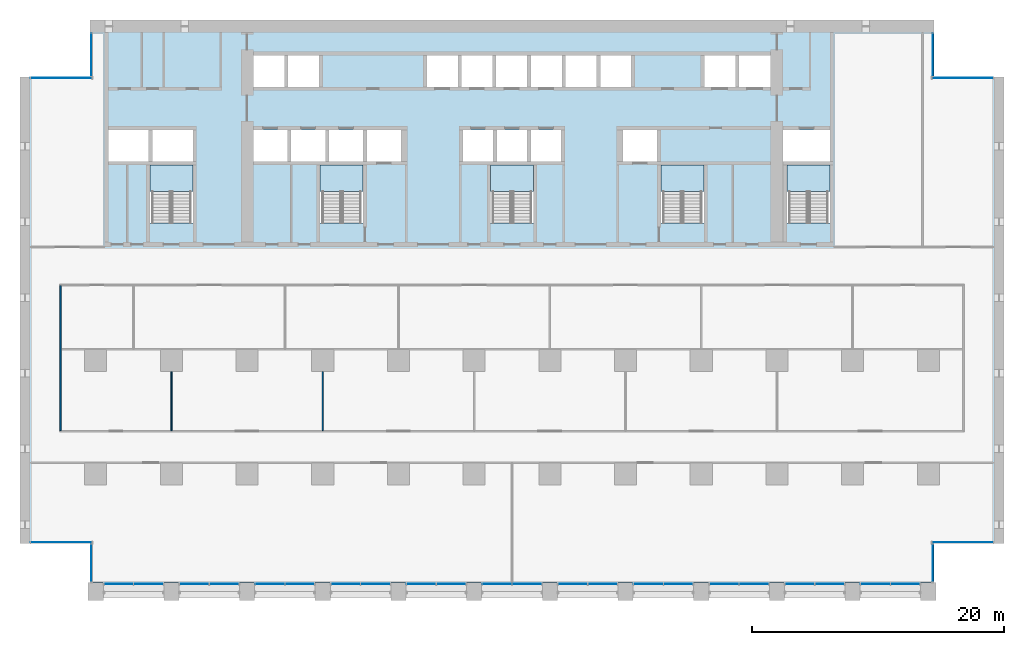
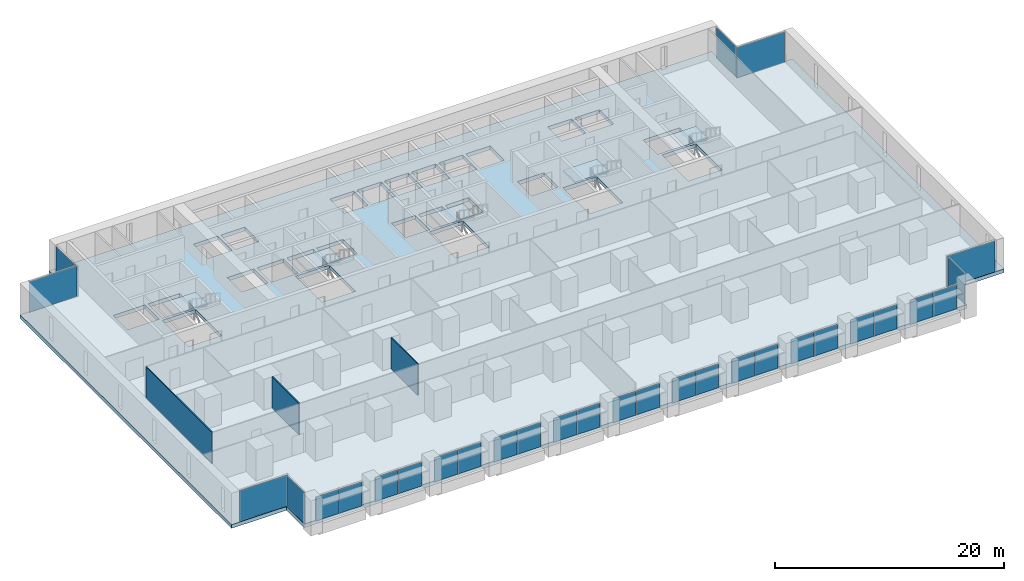
# One storey, part 7 of 18: 30 plates, 6 slabs, 3 walls, 24 elements without a shape of their own.
"""IFC4 building model written with IfcOpenShell, lengths in metres."""

from ifc_helpers import new_model, si_unit, direction, frame, frame_2d, origin, origin_2d, place, context, subcontext, project, spatial, polyline, rectangle, outline, extrude, material, layer, layer_set, type_object, element, aggregate, save


model = new_model("IFC4")

# Units and contexts
model_context = context("Model", 3, precision=1e-05, world=origin(), true_north=direction((0.0, 1.0)))
body_context = subcontext(model_context, "Body", "Model", "MODEL_VIEW")
ifc_project = project(units=[si_unit("LENGTHUNIT", "METRE"), si_unit("AREAUNIT", "SQUARE_METRE"), si_unit("VOLUMEUNIT", "CUBIC_METRE"), si_unit("PLANEANGLEUNIT", "RADIAN"), si_unit("MASSUNIT", "GRAM", prefix="KILO")], contexts=[model_context])

# Site, building, storey
site_placement = place(None, origin())
site = spatial("IfcSite", under=ifc_project, at=site_placement, CompositionType="ELEMENT")
building_placement = place(site_placement, origin())
building = spatial("IfcBuilding", under=site, at=building_placement, Name="Calvaro Tower", CompositionType="ELEMENT")
storey_placement = place(building_placement, frame((0.0, 0.0, 41.25)))
storey = spatial("IfcBuildingStorey", under=building, at=storey_placement, Name="L09", CompositionType="ELEMENT", Elevation=41.25)

# Slab
ifc_material_1 = material(Name="Concrete C40/50", Category="concrete")
ifc_layer_1 = layer(ifc_material_1, 0.39990234375)
ifc_layer_set_1 = layer_set([ifc_layer_1], Name="Concrete C40/50")
slab_type_1 = type_object("IfcSlabType", Name="Floor slab 400 C40/50", PredefinedType="FLOOR", material=ifc_layer_set_1)
slab_1_placement = place(storey_placement, frame((0.0, 0.0, -0.39990234375)))
element("IfcSlab", 1, at=slab_1_placement, inside=storey, type_object=slab_type_1, Name="Floor slab", PredefinedType="FLOOR", context=body_context, shape_type="SweptSolid", body=[
    extrude(outline(polyline([(72.449951171875, 4.5), (72.449951171875, 1.39990234375), (5.550048828125, 1.39990234375), (5.550048828125, 4.5), (0.0, 4.5), (0.0, 41.5), (5.550048828125, 41.5), (5.550048828125, 46.0), (72.449951171875, 46.0), (72.449951171875, 41.5), (78.0, 41.5), (78.0, 4.5), (72.449951171875, 4.5)]), holes=[polyline([(10.300048828125, 29.909912109375), (10.300048828125, 34.5), (12.0, 34.5), (13.699951171875, 34.5), (13.699951171875, 29.909912109375), (12.0, 29.909912109375), (10.300048828125, 29.909912109375)]), polyline([(23.800048828125, 29.909912109375), (23.800048828125, 34.5), (25.5, 34.5), (27.199951171875, 34.5), (27.199951171875, 29.909912109375), (25.5, 29.909912109375), (23.800048828125, 29.909912109375)]), polyline([(37.300048828125, 29.909912109375), (37.300048828125, 34.5), (39.0, 34.5), (40.699951171875, 34.5), (40.699951171875, 29.909912109375), (39.0, 29.909912109375), (37.300048828125, 29.909912109375)]), polyline([(50.800048828125, 29.909912109375), (50.800048828125, 34.5), (52.5, 34.5), (54.199951171875, 34.5), (54.199951171875, 29.909912109375), (52.5, 29.909912109375), (50.800048828125, 29.909912109375)]), polyline([(60.800048828125, 29.909912109375), (60.800048828125, 34.5), (62.5, 34.5), (64.199951171875, 34.5), (64.199951171875, 29.909912109375), (62.5, 29.909912109375), (60.800048828125, 29.909912109375)]), polyline([(18.5, 34.800048828125), (21.199951171875, 34.800048828125), (21.199951171875, 37.300048828125), (18.5, 37.300048828125), (18.5, 34.800048828125)]), polyline([(21.5, 34.800048828125), (24.199951171875, 34.800048828125), (24.199951171875, 37.300048828125), (21.5, 37.300048828125), (21.5, 34.800048828125)]), polyline([(24.5, 34.800048828125), (27.199951171875, 34.800048828125), (27.199951171875, 37.300048828125), (24.5, 37.300048828125), (24.5, 34.800048828125)]), polyline([(35.10009765625, 34.800048828125), (37.5, 34.800048828125), (37.5, 37.300048828125), (35.10009765625, 37.300048828125), (35.10009765625, 34.800048828125)]), polyline([(37.800048828125, 34.800048828125), (40.199951171875, 34.800048828125), (40.199951171875, 37.300048828125), (37.800048828125, 37.300048828125), (37.800048828125, 34.800048828125)]), polyline([(40.5, 34.800048828125), (42.89990234375, 34.800048828125), (42.89990234375, 37.300048828125), (40.5, 37.300048828125), (40.5, 34.800048828125)]), polyline([(18.5, 40.699951171875), (20.949951171875, 40.699951171875), (20.949951171875, 43.199951171875), (18.5, 43.199951171875), (18.5, 40.699951171875)]), polyline([(21.25, 40.699951171875), (23.699951171875, 40.699951171875), (23.699951171875, 43.199951171875), (21.25, 43.199951171875), (21.25, 40.699951171875)]), polyline([(32.25, 40.699951171875), (34.699951171875, 40.699951171875), (34.699951171875, 43.199951171875), (32.25, 43.199951171875), (32.25, 40.699951171875)]), polyline([(35.0, 40.699951171875), (37.449951171875, 40.699951171875), (37.449951171875, 43.199951171875), (35.0, 43.199951171875), (35.0, 40.699951171875)]), polyline([(37.75, 40.699951171875), (40.199951171875, 40.699951171875), (40.199951171875, 43.199951171875), (37.75, 43.199951171875), (37.75, 40.699951171875)]), polyline([(40.5, 40.699951171875), (42.949951171875, 40.699951171875), (42.949951171875, 43.199951171875), (40.5, 43.199951171875), (40.5, 40.699951171875)]), polyline([(43.25, 40.699951171875), (45.699951171875, 40.699951171875), (45.699951171875, 43.199951171875), (43.25, 43.199951171875), (43.25, 40.699951171875)]), polyline([(46.0, 40.699951171875), (48.449951171875, 40.699951171875), (48.449951171875, 43.199951171875), (46.0, 43.199951171875), (46.0, 40.699951171875)]), polyline([(54.25, 40.699951171875), (56.699951171875, 40.699951171875), (56.699951171875, 43.199951171875), (54.25, 43.199951171875), (54.25, 40.699951171875)]), polyline([(57.0, 40.699951171875), (59.5, 40.699951171875), (59.5, 43.199951171875), (57.0, 43.199951171875), (57.0, 40.699951171875)]), polyline([(7.0, 34.800048828125), (10.199951171875, 34.800048828125), (10.199951171875, 37.300048828125), (7.0, 37.300048828125), (7.0, 34.800048828125)]), polyline([(10.5, 34.800048828125), (13.699951171875, 34.800048828125), (13.699951171875, 37.300048828125), (10.5, 37.300048828125), (10.5, 34.800048828125)]), polyline([(60.5, 34.800048828125), (64.199951171875, 34.800048828125), (64.199951171875, 37.300048828125), (60.5, 37.300048828125), (60.5, 34.800048828125)]), polyline([(27.5, 34.800048828125), (30.199951171875, 34.800048828125), (30.199951171875, 37.300048828125), (27.5, 37.300048828125), (27.5, 34.800048828125)]), polyline([(47.800048828125, 34.800048828125), (50.5, 34.800048828125), (50.5, 37.300048828125), (47.800048828125, 37.300048828125), (47.800048828125, 34.800048828125)])]), origin(), (0.0, 0.0, 1.0), 0.39990234375),
])

# Curtain wall, plates
ifc_material_2 = material(Name="Anodised aluminium", Category="aluminium")
curtain_wall_type = type_object("IfcCurtainWallType", Name="Office curtain wall, lower zone", PredefinedType="NOTDEFINED", material=ifc_material_2)
curtain_wall_1_placement = place(storey_placement, origin())
curtain_wall_1 = element("IfcCurtainWall", 2, at=curtain_wall_1_placement, inside=storey, type_object=curtain_wall_type, Name="CW1 south curtain wall", PredefinedType="NOTDEFINED")
ifc_material_3 = material(Name="Glass", Category="glass")
ifc_layer_2 = layer(ifc_material_3, 0.028076171875)
ifc_layer_set_2 = layer_set([ifc_layer_2], Name="Glass")
plate_type = type_object("IfcPlateType", Name="Glass panel S1 28", PredefinedType="CURTAIN_PANEL", material=ifc_layer_set_2)
plate_1_placement = place(storey_placement, frame((7.81494140625, 1.300048828125, 0.0), z_axis=(0.0, 0.0, 1.0), x_axis=(1.0, 0.0, 0.0)))
plate_1 = element("IfcPlate", 3, at=plate_1_placement, type_object=plate_type, Name="CW1 glass panel 1.1", PredefinedType="CURTAIN_PANEL", context=body_context, shape_type="SweptSolid", body=[
    extrude(rectangle(XDim=2.31005859375, YDim=0.028076171875, at=origin_2d()), origin(), (0.0, 0.0, 1.0), 2.550048828125),
])
plate_2_placement = place(storey_placement, frame((10.18505859375, 1.300048828125, 0.0), z_axis=(0.0, 0.0, 1.0), x_axis=(1.0, 0.0, 0.0)))
plate_2 = element("IfcPlate", 4, at=plate_2_placement, type_object=plate_type, Name="CW1 glass panel 2.1", PredefinedType="CURTAIN_PANEL", context=body_context, shape_type="SweptSolid", body=[
    extrude(rectangle(XDim=2.31005859375, YDim=0.028076171875, at=origin_2d()), origin(), (0.0, 0.0, 1.0), 2.550048828125),
])
aggregate(curtain_wall_1, [plate_1, plate_2])

curtain_wall_2_placement = place(storey_placement, origin())
curtain_wall_2 = element("IfcCurtainWall", 5, at=curtain_wall_2_placement, inside=storey, type_object=curtain_wall_type, Name="CW1 south curtain wall", PredefinedType="NOTDEFINED")
plate_3_placement = place(storey_placement, frame((13.81494140625, 1.300048828125, 0.0), z_axis=(0.0, 0.0, 1.0), x_axis=(1.0, 0.0, 0.0)))
plate_3 = element("IfcPlate", 6, at=plate_3_placement, type_object=plate_type, Name="CW1 glass panel 1.1", PredefinedType="CURTAIN_PANEL", context=body_context, shape_type="SweptSolid", body=[
    extrude(rectangle(XDim=2.31005859375, YDim=0.028076171875, at=origin_2d()), origin(), (0.0, 0.0, 1.0), 2.550048828125),
])
plate_4_placement = place(storey_placement, frame((16.18505859375, 1.300048828125, 0.0), z_axis=(0.0, 0.0, 1.0), x_axis=(1.0, 0.0, 0.0)))
plate_4 = element("IfcPlate", 7, at=plate_4_placement, type_object=plate_type, Name="CW1 glass panel 2.1", PredefinedType="CURTAIN_PANEL", context=body_context, shape_type="SweptSolid", body=[
    extrude(rectangle(XDim=2.31005859375, YDim=0.028076171875, at=origin_2d()), origin(), (0.0, 0.0, 1.0), 2.550048828125),
])
aggregate(curtain_wall_2, [plate_3, plate_4])

curtain_wall_3_placement = place(storey_placement, origin())
curtain_wall_3 = element("IfcCurtainWall", 8, at=curtain_wall_3_placement, inside=storey, type_object=curtain_wall_type, Name="CW1 south curtain wall", PredefinedType="NOTDEFINED")
plate_5_placement = place(storey_placement, frame((19.81494140625, 1.300048828125, 0.0), z_axis=(0.0, 0.0, 1.0), x_axis=(1.0, 0.0, 0.0)))
plate_5 = element("IfcPlate", 9, at=plate_5_placement, type_object=plate_type, Name="CW1 glass panel 1.1", PredefinedType="CURTAIN_PANEL", context=body_context, shape_type="SweptSolid", body=[
    extrude(rectangle(XDim=2.31005859375, YDim=0.028076171875, at=origin_2d()), origin(), (0.0, 0.0, 1.0), 2.550048828125),
])
plate_6_placement = place(storey_placement, frame((22.18505859375, 1.300048828125, 0.0), z_axis=(0.0, 0.0, 1.0), x_axis=(1.0, 0.0, 0.0)))
plate_6 = element("IfcPlate", 10, at=plate_6_placement, type_object=plate_type, Name="CW1 glass panel 2.1", PredefinedType="CURTAIN_PANEL", context=body_context, shape_type="SweptSolid", body=[
    extrude(rectangle(XDim=2.31005859375, YDim=0.028076171875, at=origin_2d()), origin(), (0.0, 0.0, 1.0), 2.550048828125),
])
aggregate(curtain_wall_3, [plate_5, plate_6])

curtain_wall_4_placement = place(storey_placement, origin())
curtain_wall_4 = element("IfcCurtainWall", 11, at=curtain_wall_4_placement, inside=storey, type_object=curtain_wall_type, Name="CW1 south curtain wall", PredefinedType="NOTDEFINED")
plate_7_placement = place(storey_placement, frame((25.81494140625, 1.300048828125, 0.0), z_axis=(0.0, 0.0, 1.0), x_axis=(1.0, 0.0, 0.0)))
plate_7 = element("IfcPlate", 12, at=plate_7_placement, type_object=plate_type, Name="CW1 glass panel 1.1", PredefinedType="CURTAIN_PANEL", context=body_context, shape_type="SweptSolid", body=[
    extrude(rectangle(XDim=2.31005859375, YDim=0.028076171875, at=origin_2d()), origin(), (0.0, 0.0, 1.0), 2.550048828125),
])
plate_8_placement = place(storey_placement, frame((28.18505859375, 1.300048828125, 0.0), z_axis=(0.0, 0.0, 1.0), x_axis=(1.0, 0.0, 0.0)))
plate_8 = element("IfcPlate", 13, at=plate_8_placement, type_object=plate_type, Name="CW1 glass panel 2.1", PredefinedType="CURTAIN_PANEL", context=body_context, shape_type="SweptSolid", body=[
    extrude(rectangle(XDim=2.31005859375, YDim=0.028076171875, at=origin_2d()), origin(), (0.0, 0.0, 1.0), 2.550048828125),
])
aggregate(curtain_wall_4, [plate_7, plate_8])

curtain_wall_5_placement = place(storey_placement, origin())
curtain_wall_5 = element("IfcCurtainWall", 14, at=curtain_wall_5_placement, inside=storey, type_object=curtain_wall_type, Name="CW1 south curtain wall", PredefinedType="NOTDEFINED")
plate_9_placement = place(storey_placement, frame((31.81494140625, 1.300048828125, 0.0), z_axis=(0.0, 0.0, 1.0), x_axis=(1.0, 0.0, 0.0)))
plate_9 = element("IfcPlate", 15, at=plate_9_placement, type_object=plate_type, Name="CW1 glass panel 1.1", PredefinedType="CURTAIN_PANEL", context=body_context, shape_type="SweptSolid", body=[
    extrude(rectangle(XDim=2.31005859375, YDim=0.028076171875, at=origin_2d()), origin(), (0.0, 0.0, 1.0), 2.550048828125),
])
plate_10_placement = place(storey_placement, frame((34.18505859375, 1.300048828125, 0.0), z_axis=(0.0, 0.0, 1.0), x_axis=(1.0, 0.0, 0.0)))
plate_10 = element("IfcPlate", 16, at=plate_10_placement, type_object=plate_type, Name="CW1 glass panel 2.1", PredefinedType="CURTAIN_PANEL", context=body_context, shape_type="SweptSolid", body=[
    extrude(rectangle(XDim=2.31005859375, YDim=0.028076171875, at=origin_2d()), origin(), (0.0, 0.0, 1.0), 2.550048828125),
])
aggregate(curtain_wall_5, [plate_9, plate_10])

curtain_wall_6_placement = place(storey_placement, origin())
curtain_wall_6 = element("IfcCurtainWall", 17, at=curtain_wall_6_placement, inside=storey, type_object=curtain_wall_type, Name="CW1 south curtain wall", PredefinedType="NOTDEFINED")
plate_11_placement = place(storey_placement, frame((37.81494140625, 1.300048828125, 0.0), z_axis=(0.0, 0.0, 1.0), x_axis=(1.0, 0.0, 0.0)))
plate_11 = element("IfcPlate", 18, at=plate_11_placement, type_object=plate_type, Name="CW1 glass panel 1.1", PredefinedType="CURTAIN_PANEL", context=body_context, shape_type="SweptSolid", body=[
    extrude(rectangle(XDim=2.31005859375, YDim=0.028076171875, at=origin_2d()), origin(), (0.0, 0.0, 1.0), 2.550048828125),
])
plate_12_placement = place(storey_placement, frame((40.18505859375, 1.300048828125, 0.0), z_axis=(0.0, 0.0, 1.0), x_axis=(1.0, 0.0, 0.0)))
plate_12 = element("IfcPlate", 19, at=plate_12_placement, type_object=plate_type, Name="CW1 glass panel 2.1", PredefinedType="CURTAIN_PANEL", context=body_context, shape_type="SweptSolid", body=[
    extrude(rectangle(XDim=2.31005859375, YDim=0.028076171875, at=origin_2d()), origin(), (0.0, 0.0, 1.0), 2.550048828125),
])
aggregate(curtain_wall_6, [plate_11, plate_12])

curtain_wall_7_placement = place(storey_placement, origin())
curtain_wall_7 = element("IfcCurtainWall", 20, at=curtain_wall_7_placement, inside=storey, type_object=curtain_wall_type, Name="CW1 south curtain wall", PredefinedType="NOTDEFINED")
plate_13_placement = place(storey_placement, frame((43.81494140625, 1.300048828125, 0.0), z_axis=(0.0, 0.0, 1.0), x_axis=(1.0, 0.0, 0.0)))
plate_13 = element("IfcPlate", 21, at=plate_13_placement, type_object=plate_type, Name="CW1 glass panel 1.1", PredefinedType="CURTAIN_PANEL", context=body_context, shape_type="SweptSolid", body=[
    extrude(rectangle(XDim=2.31005859375, YDim=0.028076171875, at=origin_2d()), origin(), (0.0, 0.0, 1.0), 2.550048828125),
])
plate_14_placement = place(storey_placement, frame((46.18505859375, 1.300048828125, 0.0), z_axis=(0.0, 0.0, 1.0), x_axis=(1.0, 0.0, 0.0)))
plate_14 = element("IfcPlate", 22, at=plate_14_placement, type_object=plate_type, Name="CW1 glass panel 2.1", PredefinedType="CURTAIN_PANEL", context=body_context, shape_type="SweptSolid", body=[
    extrude(rectangle(XDim=2.31005859375, YDim=0.028076171875, at=origin_2d()), origin(), (0.0, 0.0, 1.0), 2.550048828125),
])
aggregate(curtain_wall_7, [plate_13, plate_14])

curtain_wall_8_placement = place(storey_placement, origin())
curtain_wall_8 = element("IfcCurtainWall", 23, at=curtain_wall_8_placement, inside=storey, type_object=curtain_wall_type, Name="CW1 south curtain wall", PredefinedType="NOTDEFINED")
plate_15_placement = place(storey_placement, frame((49.81494140625, 1.300048828125, 0.0), z_axis=(0.0, 0.0, 1.0), x_axis=(1.0, 0.0, 0.0)))
plate_15 = element("IfcPlate", 24, at=plate_15_placement, type_object=plate_type, Name="CW1 glass panel 1.1", PredefinedType="CURTAIN_PANEL", context=body_context, shape_type="SweptSolid", body=[
    extrude(rectangle(XDim=2.31005859375, YDim=0.028076171875, at=origin_2d()), origin(), (0.0, 0.0, 1.0), 2.550048828125),
])
plate_16_placement = place(storey_placement, frame((52.18505859375, 1.300048828125, 0.0), z_axis=(0.0, 0.0, 1.0), x_axis=(1.0, 0.0, 0.0)))
plate_16 = element("IfcPlate", 25, at=plate_16_placement, type_object=plate_type, Name="CW1 glass panel 2.1", PredefinedType="CURTAIN_PANEL", context=body_context, shape_type="SweptSolid", body=[
    extrude(rectangle(XDim=2.31005859375, YDim=0.028076171875, at=origin_2d()), origin(), (0.0, 0.0, 1.0), 2.550048828125),
])
aggregate(curtain_wall_8, [plate_15, plate_16])

curtain_wall_9_placement = place(storey_placement, origin())
curtain_wall_9 = element("IfcCurtainWall", 26, at=curtain_wall_9_placement, inside=storey, type_object=curtain_wall_type, Name="CW1 south curtain wall", PredefinedType="NOTDEFINED")
plate_17_placement = place(storey_placement, frame((55.81494140625, 1.300048828125, 0.0), z_axis=(0.0, 0.0, 1.0), x_axis=(1.0, 0.0, 0.0)))
plate_17 = element("IfcPlate", 27, at=plate_17_placement, type_object=plate_type, Name="CW1 glass panel 1.1", PredefinedType="CURTAIN_PANEL", context=body_context, shape_type="SweptSolid", body=[
    extrude(rectangle(XDim=2.31005859375, YDim=0.028076171875, at=origin_2d()), origin(), (0.0, 0.0, 1.0), 2.550048828125),
])
plate_18_placement = place(storey_placement, frame((58.18505859375, 1.300048828125, 0.0), z_axis=(0.0, 0.0, 1.0), x_axis=(1.0, 0.0, 0.0)))
plate_18 = element("IfcPlate", 28, at=plate_18_placement, type_object=plate_type, Name="CW1 glass panel 2.1", PredefinedType="CURTAIN_PANEL", context=body_context, shape_type="SweptSolid", body=[
    extrude(rectangle(XDim=2.31005859375, YDim=0.028076171875, at=origin_2d()), origin(), (0.0, 0.0, 1.0), 2.550048828125),
])
aggregate(curtain_wall_9, [plate_17, plate_18])

curtain_wall_10_placement = place(storey_placement, origin())
curtain_wall_10 = element("IfcCurtainWall", 29, at=curtain_wall_10_placement, inside=storey, type_object=curtain_wall_type, Name="CW1 south curtain wall", PredefinedType="NOTDEFINED")
plate_19_placement = place(storey_placement, frame((61.81494140625, 1.300048828125, 0.0), z_axis=(0.0, 0.0, 1.0), x_axis=(1.0, 0.0, 0.0)))
plate_19 = element("IfcPlate", 30, at=plate_19_placement, type_object=plate_type, Name="CW1 glass panel 1.1", PredefinedType="CURTAIN_PANEL", context=body_context, shape_type="SweptSolid", body=[
    extrude(rectangle(XDim=2.31005859375, YDim=0.028076171875, at=origin_2d()), origin(), (0.0, 0.0, 1.0), 2.550048828125),
])
plate_20_placement = place(storey_placement, frame((64.18505859375, 1.300048828125, 0.0), z_axis=(0.0, 0.0, 1.0), x_axis=(1.0, 0.0, 0.0)))
plate_20 = element("IfcPlate", 31, at=plate_20_placement, type_object=plate_type, Name="CW1 glass panel 2.1", PredefinedType="CURTAIN_PANEL", context=body_context, shape_type="SweptSolid", body=[
    extrude(rectangle(XDim=2.31005859375, YDim=0.028076171875, at=origin_2d()), origin(), (0.0, 0.0, 1.0), 2.550048828125),
])
aggregate(curtain_wall_10, [plate_19, plate_20])

curtain_wall_11_placement = place(storey_placement, origin())
curtain_wall_11 = element("IfcCurtainWall", 32, at=curtain_wall_11_placement, inside=storey, type_object=curtain_wall_type, Name="CW1 south curtain wall", PredefinedType="NOTDEFINED")
plate_21_placement = place(storey_placement, frame((67.81494140625, 1.300048828125, 0.0), z_axis=(0.0, 0.0, 1.0), x_axis=(1.0, 0.0, 0.0)))
plate_21 = element("IfcPlate", 33, at=plate_21_placement, type_object=plate_type, Name="CW1 glass panel 1.1", PredefinedType="CURTAIN_PANEL", context=body_context, shape_type="SweptSolid", body=[
    extrude(rectangle(XDim=2.31005859375, YDim=0.028076171875, at=origin_2d()), origin(), (0.0, 0.0, 1.0), 2.550048828125),
])
plate_22_placement = place(storey_placement, frame((70.18505859375, 1.300048828125, 0.0), z_axis=(0.0, 0.0, 1.0), x_axis=(1.0, 0.0, 0.0)))
plate_22 = element("IfcPlate", 34, at=plate_22_placement, type_object=plate_type, Name="CW1 glass panel 2.1", PredefinedType="CURTAIN_PANEL", context=body_context, shape_type="SweptSolid", body=[
    extrude(rectangle(XDim=2.31005859375, YDim=0.028076171875, at=origin_2d()), origin(), (0.0, 0.0, 1.0), 2.550048828125),
])
aggregate(curtain_wall_11, [plate_21, plate_22])

# Curtain wall, plate
curtain_wall_12_placement = place(storey_placement, origin())
curtain_wall_12 = element("IfcCurtainWall", 35, at=curtain_wall_12_placement, inside=storey, type_object=curtain_wall_type, Name="CW1 corner curtain wall", PredefinedType="NOTDEFINED")
plate_23_placement = place(storey_placement, frame((5.64990234375, 2.949951171875, 0.0), z_axis=(0.0, 0.0, 1.0), x_axis=(0.0, 1.0, 0.0)))
plate_23 = element("IfcPlate", 36, at=plate_23_placement, type_object=plate_type, Name="CW1 glass panel 1.1", PredefinedType="CURTAIN_PANEL", context=body_context, shape_type="SweptSolid", body=[
    extrude(rectangle(XDim=2.97998046875, YDim=0.028076171875, at=origin_2d()), origin(), (0.0, 0.0, 1.0), 3.25),
])
aggregate(curtain_wall_12, [plate_23])

curtain_wall_13_placement = place(storey_placement, origin())
curtain_wall_13 = element("IfcCurtainWall", 37, at=curtain_wall_13_placement, inside=storey, type_object=curtain_wall_type, Name="CW1 corner curtain wall", PredefinedType="NOTDEFINED")
plate_24_placement = place(storey_placement, frame((3.27490234375, 4.60009765625, 0.0), z_axis=(0.0, 0.0, 1.0), x_axis=(1.0, 0.0, 0.0)))
plate_24 = element("IfcPlate", 38, at=plate_24_placement, type_object=plate_type, Name="CW1 glass panel 1.1", PredefinedType="CURTAIN_PANEL", context=body_context, shape_type="SweptSolid", body=[
    extrude(rectangle(XDim=4.830078125, YDim=0.028076171875, at=origin_2d()), origin(), (0.0, 0.0, 1.0), 3.25),
])
aggregate(curtain_wall_13, [plate_24])

curtain_wall_14_placement = place(storey_placement, origin())
curtain_wall_14 = element("IfcCurtainWall", 39, at=curtain_wall_14_placement, inside=storey, type_object=curtain_wall_type, Name="CW1 corner curtain wall", PredefinedType="NOTDEFINED")
plate_25_placement = place(storey_placement, frame((5.64990234375, 43.25, 0.0), z_axis=(0.0, 0.0, 1.0), x_axis=(0.0, 1.0, 0.0)))
plate_25 = element("IfcPlate", 40, at=plate_25_placement, type_object=plate_type, Name="CW1 glass panel 1.1", PredefinedType="CURTAIN_PANEL", context=body_context, shape_type="SweptSolid", body=[
    extrude(rectangle(XDim=3.3798828125, YDim=0.028076171875, at=origin_2d()), origin(), (0.0, 0.0, 1.0), 3.25),
])
aggregate(curtain_wall_14, [plate_25])

curtain_wall_15_placement = place(storey_placement, origin())
curtain_wall_15 = element("IfcCurtainWall", 41, at=curtain_wall_15_placement, inside=storey, type_object=curtain_wall_type, Name="CW1 corner curtain wall", PredefinedType="NOTDEFINED")
plate_26_placement = place(storey_placement, frame((3.27490234375, 41.39990234375, 0.0), z_axis=(0.0, 0.0, 1.0), x_axis=(1.0, 0.0, 0.0)))
plate_26 = element("IfcPlate", 42, at=plate_26_placement, type_object=plate_type, Name="CW1 glass panel 1.1", PredefinedType="CURTAIN_PANEL", context=body_context, shape_type="SweptSolid", body=[
    extrude(rectangle(XDim=4.830078125, YDim=0.028076171875, at=origin_2d()), origin(), (0.0, 0.0, 1.0), 3.25),
])
aggregate(curtain_wall_15, [plate_26])

curtain_wall_16_placement = place(storey_placement, origin())
curtain_wall_16 = element("IfcCurtainWall", 43, at=curtain_wall_16_placement, inside=storey, type_object=curtain_wall_type, Name="CW1 corner curtain wall", PredefinedType="NOTDEFINED")
plate_27_placement = place(storey_placement, frame((72.35009765625, 2.949951171875, 0.0), z_axis=(0.0, 0.0, 1.0), x_axis=(0.0, 1.0, 0.0)))
plate_27 = element("IfcPlate", 44, at=plate_27_placement, type_object=plate_type, Name="CW1 glass panel 1.1", PredefinedType="CURTAIN_PANEL", context=body_context, shape_type="SweptSolid", body=[
    extrude(rectangle(XDim=2.97998046875, YDim=0.028076171875, at=origin_2d()), origin(), (0.0, 0.0, 1.0), 3.25),
])
aggregate(curtain_wall_16, [plate_27])

curtain_wall_17_placement = place(storey_placement, origin())
curtain_wall_17 = element("IfcCurtainWall", 45, at=curtain_wall_17_placement, inside=storey, type_object=curtain_wall_type, Name="CW1 corner curtain wall", PredefinedType="NOTDEFINED")
plate_28_placement = place(storey_placement, frame((74.72509765625, 4.60009765625, 0.0), z_axis=(0.0, 0.0, 1.0), x_axis=(1.0, 0.0, 0.0)))
plate_28 = element("IfcPlate", 46, at=plate_28_placement, type_object=plate_type, Name="CW1 glass panel 1.1", PredefinedType="CURTAIN_PANEL", context=body_context, shape_type="SweptSolid", body=[
    extrude(rectangle(XDim=4.830078125, YDim=0.028076171875, at=origin_2d()), origin(), (0.0, 0.0, 1.0), 3.25),
])
aggregate(curtain_wall_17, [plate_28])

curtain_wall_18_placement = place(storey_placement, origin())
curtain_wall_18 = element("IfcCurtainWall", 47, at=curtain_wall_18_placement, inside=storey, type_object=curtain_wall_type, Name="CW1 corner curtain wall", PredefinedType="NOTDEFINED")
plate_29_placement = place(storey_placement, frame((72.35009765625, 43.25, 0.0), z_axis=(0.0, 0.0, 1.0), x_axis=(0.0, 1.0, 0.0)))
plate_29 = element("IfcPlate", 48, at=plate_29_placement, type_object=plate_type, Name="CW1 glass panel 1.1", PredefinedType="CURTAIN_PANEL", context=body_context, shape_type="SweptSolid", body=[
    extrude(rectangle(XDim=3.3798828125, YDim=0.028076171875, at=origin_2d()), origin(), (0.0, 0.0, 1.0), 3.25),
])
aggregate(curtain_wall_18, [plate_29])

curtain_wall_19_placement = place(storey_placement, origin())
curtain_wall_19 = element("IfcCurtainWall", 49, at=curtain_wall_19_placement, inside=storey, type_object=curtain_wall_type, Name="CW1 corner curtain wall", PredefinedType="NOTDEFINED")
plate_30_placement = place(storey_placement, frame((74.72509765625, 41.39990234375, 0.0), z_axis=(0.0, 0.0, 1.0), x_axis=(1.0, 0.0, 0.0)))
plate_30 = element("IfcPlate", 50, at=plate_30_placement, type_object=plate_type, Name="CW1 glass panel 1.1", PredefinedType="CURTAIN_PANEL", context=body_context, shape_type="SweptSolid", body=[
    extrude(rectangle(XDim=4.830078125, YDim=0.028076171875, at=origin_2d()), origin(), (0.0, 0.0, 1.0), 3.25),
])
aggregate(curtain_wall_19, [plate_30])

# Stair, slab
ifc_material_4 = material(Name="Concrete C40/50", Category="concrete")
stair_type = type_object("IfcStairType", Name="Exit stair 1400 2 flights", PredefinedType="HALF_TURN_STAIR", material=ifc_material_4)
stair_1_placement = place(storey_placement, origin())
stair_1 = element("IfcStair", 51, at=stair_1_placement, inside=storey, type_object=stair_type, Name="Exit stair S1", PredefinedType="HALF_TURN_STAIR")
ifc_material_5 = material(Name="Concrete C40/50", Category="concrete")
ifc_layer_3 = layer(ifc_material_5, 0.199951171875)
ifc_layer_set_3 = layer_set([ifc_layer_3], Name="Concrete C40/50")
slab_type_2 = type_object("IfcSlabType", Name="Stair landing", PredefinedType="LANDING", material=ifc_layer_set_3)
slab_2_placement = place(storey_placement, frame((0.0, 0.0, 1.675048828125)))
slab_2 = element("IfcSlab", 52, at=slab_2_placement, type_object=slab_type_2, Name="Exit stair 1, landing 1", PredefinedType="LANDING", context=body_context, shape_type="SweptSolid", body=[
    extrude(outline(polyline([(11.89990234375, 32.389892578125), (10.5, 32.389892578125), (10.5, 32.39990234375), (10.300048828125, 32.39990234375), (10.300048828125, 34.5), (10.5, 34.5), (11.89990234375, 34.5), (12.10009765625, 34.5), (13.5, 34.5), (13.699951171875, 34.5), (13.699951171875, 32.39990234375), (13.5, 32.39990234375), (13.5, 32.389892578125), (12.10009765625, 32.389892578125), (12.10009765625, 32.39990234375), (11.89990234375, 32.39990234375), (11.89990234375, 32.389892578125)])), origin(), (0.0, 0.0, 1.0), 0.199951171875),
])
aggregate(stair_1, [slab_2])

stair_2_placement = place(storey_placement, origin())
stair_2 = element("IfcStair", 53, at=stair_2_placement, inside=storey, type_object=stair_type, Name="Exit stair S2", PredefinedType="HALF_TURN_STAIR")
slab_3_placement = place(storey_placement, frame((0.0, 0.0, 1.675048828125)))
slab_3 = element("IfcSlab", 54, at=slab_3_placement, type_object=slab_type_2, Name="Exit stair 2, landing 1", PredefinedType="LANDING", context=body_context, shape_type="SweptSolid", body=[
    extrude(outline(polyline([(25.39990234375, 32.389892578125), (24.0, 32.389892578125), (24.0, 32.39990234375), (23.800048828125, 32.39990234375), (23.800048828125, 34.5), (24.0, 34.5), (25.39990234375, 34.5), (25.60009765625, 34.5), (27.0, 34.5), (27.199951171875, 34.5), (27.199951171875, 32.39990234375), (27.0, 32.39990234375), (27.0, 32.389892578125), (25.60009765625, 32.389892578125), (25.60009765625, 32.39990234375), (25.39990234375, 32.39990234375), (25.39990234375, 32.389892578125)])), origin(), (0.0, 0.0, 1.0), 0.199951171875),
])
aggregate(stair_2, [slab_3])

stair_3_placement = place(storey_placement, origin())
stair_3 = element("IfcStair", 55, at=stair_3_placement, inside=storey, type_object=stair_type, Name="Exit stair S3", PredefinedType="HALF_TURN_STAIR")
slab_4_placement = place(storey_placement, frame((0.0, 0.0, 1.675048828125)))
slab_4 = element("IfcSlab", 56, at=slab_4_placement, type_object=slab_type_2, Name="Exit stair 3, landing 1", PredefinedType="LANDING", context=body_context, shape_type="SweptSolid", body=[
    extrude(outline(polyline([(38.89990234375, 32.389892578125), (37.5, 32.389892578125), (37.5, 32.39990234375), (37.300048828125, 32.39990234375), (37.300048828125, 34.5), (37.5, 34.5), (38.89990234375, 34.5), (39.10009765625, 34.5), (40.5, 34.5), (40.699951171875, 34.5), (40.699951171875, 32.39990234375), (40.5, 32.39990234375), (40.5, 32.389892578125), (39.10009765625, 32.389892578125), (39.10009765625, 32.39990234375), (38.89990234375, 32.39990234375), (38.89990234375, 32.389892578125)])), origin(), (0.0, 0.0, 1.0), 0.199951171875),
])
aggregate(stair_3, [slab_4])

stair_4_placement = place(storey_placement, origin())
stair_4 = element("IfcStair", 57, at=stair_4_placement, inside=storey, type_object=stair_type, Name="Exit stair S4", PredefinedType="HALF_TURN_STAIR")
slab_5_placement = place(storey_placement, frame((0.0, 0.0, 1.675048828125)))
slab_5 = element("IfcSlab", 58, at=slab_5_placement, type_object=slab_type_2, Name="Exit stair 4, landing 1", PredefinedType="LANDING", context=body_context, shape_type="SweptSolid", body=[
    extrude(outline(polyline([(52.39990234375, 32.389892578125), (51.0, 32.389892578125), (51.0, 32.39990234375), (50.800048828125, 32.39990234375), (50.800048828125, 34.5), (51.0, 34.5), (52.39990234375, 34.5), (52.60009765625, 34.5), (54.0, 34.5), (54.199951171875, 34.5), (54.199951171875, 32.39990234375), (54.0, 32.39990234375), (54.0, 32.389892578125), (52.60009765625, 32.389892578125), (52.60009765625, 32.39990234375), (52.39990234375, 32.39990234375), (52.39990234375, 32.389892578125)])), origin(), (0.0, 0.0, 1.0), 0.199951171875),
])
aggregate(stair_4, [slab_5])

stair_5_placement = place(storey_placement, origin())
stair_5 = element("IfcStair", 59, at=stair_5_placement, inside=storey, type_object=stair_type, Name="Exit stair S5", PredefinedType="HALF_TURN_STAIR")
slab_6_placement = place(storey_placement, frame((0.0, 0.0, 1.675048828125)))
slab_6 = element("IfcSlab", 60, at=slab_6_placement, type_object=slab_type_2, Name="Exit stair 5, landing 1", PredefinedType="LANDING", context=body_context, shape_type="SweptSolid", body=[
    extrude(outline(polyline([(62.39990234375, 32.389892578125), (61.0, 32.389892578125), (61.0, 32.39990234375), (60.800048828125, 32.39990234375), (60.800048828125, 34.5), (61.0, 34.5), (62.39990234375, 34.5), (62.60009765625, 34.5), (64.0, 34.5), (64.199951171875, 34.5), (64.199951171875, 32.39990234375), (64.0, 32.39990234375), (64.0, 32.389892578125), (62.60009765625, 32.389892578125), (62.60009765625, 32.39990234375), (62.39990234375, 32.39990234375), (62.39990234375, 32.389892578125)])), origin(), (0.0, 0.0, 1.0), 0.199951171875),
])
aggregate(stair_5, [slab_6])

# Walls
ifc_material_6 = material(Name="Plasterboard on steel studs", Category="steel")
ifc_layer_4 = layer(ifc_material_6, 0.10009765625)
ifc_layer_set_4 = layer_set([ifc_layer_4], Name="Plasterboard on steel studs")
wall_type = type_object("IfcWallType", Name="Partition 100", PredefinedType="PARTITIONING", material=ifc_layer_set_4)
wall_placement = place(storey_placement, frame((3.199951171875, 13.449951171875, 0.0), z_axis=(0.0, 0.0, 1.0), x_axis=(0.0, 1.0, 0.0)))
element("IfcWall", 61, at=wall_placement, inside=storey, type_object=wall_type, Name="Partition T09.W007", PredefinedType="PARTITIONING", context=body_context, shape_type="SweptSolid", body=[
    extrude(rectangle(XDim=11.5, YDim=0.10009765625, at=frame_2d((5.75, 0.0))), origin(), (0.0, 0.0, 1.0), 3.35009765625),
])
for number, where, z_axis, x_axis, name in (
    (62, (12.0, 13.449951171875, 0.0), (0.0, 0.0, 1.0), (0.0, 1.0, 0.0), "Partition T09.W009"),
    (63, (24.0, 13.449951171875, 0.0), (0.0, 0.0, 1.0), (0.0, 1.0, 0.0), "Partition T09.W011"),
):
    element("IfcWall", number, at=place(storey_placement, frame(where, z_axis=z_axis, x_axis=x_axis)), inside=storey, type_object=wall_type, Name=name, PredefinedType="PARTITIONING", context=body_context, shape_type="SweptSolid", body=[
        extrude(rectangle(XDim=4.675048828125, YDim=0.10009765625, at=frame_2d((2.33740234375, 0.0))), origin(), (0.0, 0.0, 1.0), 3.35009765625),
    ])

save(model, "model.ifc")
